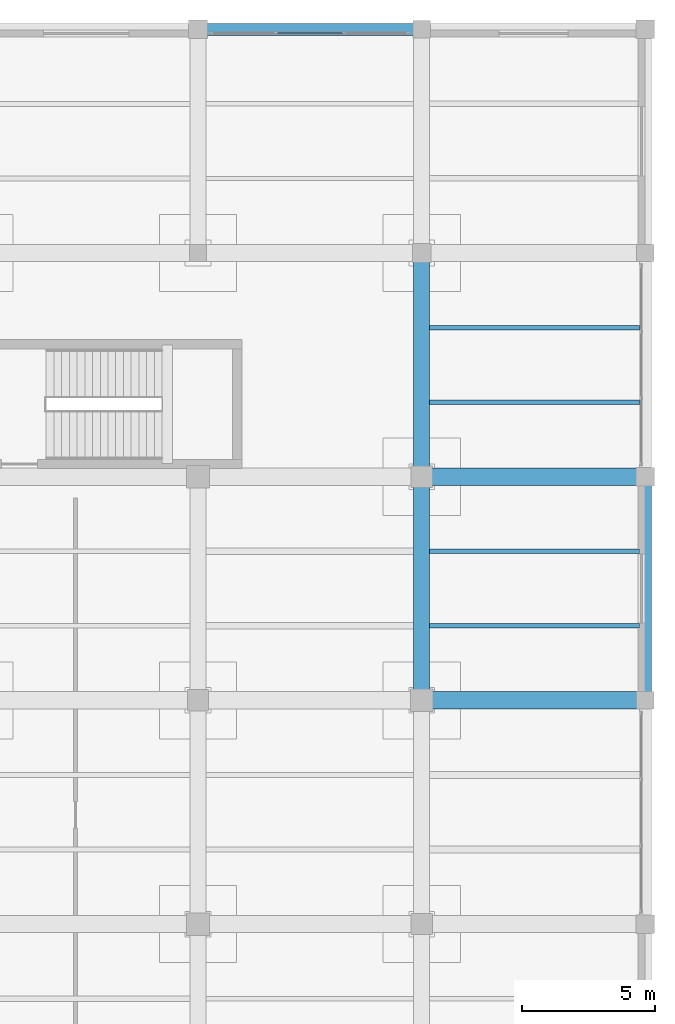
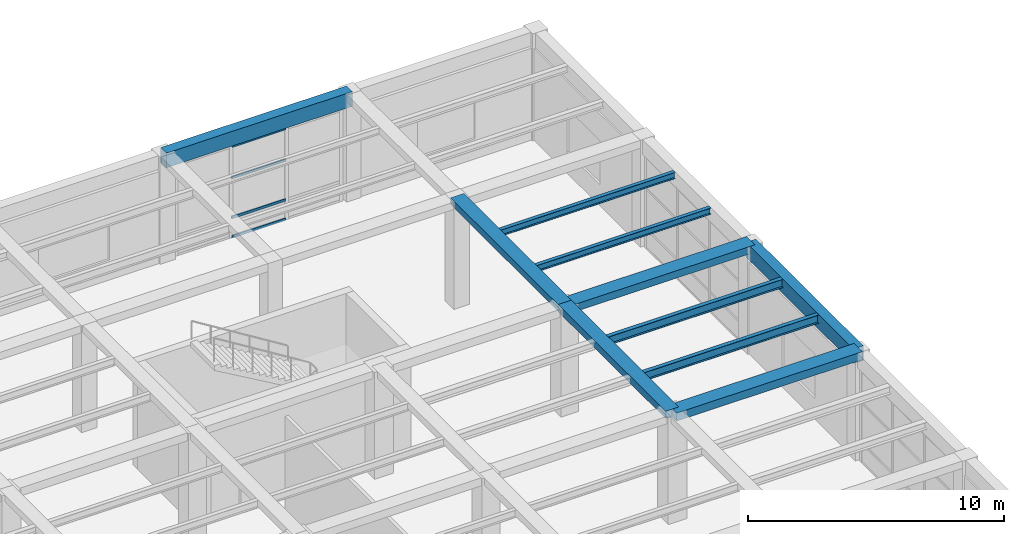
# One storey, part 64 of 95: 10 beams, 4 members, 1 element without a shape of its own.
"""IFC4 building model written with IfcOpenShell, lengths in metres."""

from ifc_helpers import new_model, si_unit, direction, frame, origin, origin_2d, place, context, subcontext, project, spatial, rectangle, hollow_rectangle, i_section, extrude, material, material_profile, profile_set, type_object, element, aggregate, save


model = new_model("IFC4")

# Units and contexts
model_context = context("Model", 3, precision=1e-05, world=origin(), true_north=direction((0.0, 1.0)))
body_context = subcontext(model_context, "Body", "Model", "MODEL_VIEW")
ifc_project = project(units=[si_unit("LENGTHUNIT", "METRE"), si_unit("AREAUNIT", "SQUARE_METRE"), si_unit("VOLUMEUNIT", "CUBIC_METRE"), si_unit("PLANEANGLEUNIT", "RADIAN"), si_unit("MASSUNIT", "GRAM", prefix="KILO")], contexts=[model_context])

# Site, building, storey
site_placement = place(None, origin())
site = spatial("IfcSite", under=ifc_project, at=site_placement, CompositionType="ELEMENT")
building_placement = place(site_placement, origin())
building = spatial("IfcBuilding", under=site, at=building_placement, Name="Almacenes y Pasaje Nevantli", CompositionType="ELEMENT")
storey_placement = place(building_placement, frame((0.0, 0.0, 11.39990234375)))
storey = spatial("IfcBuildingStorey", under=building, at=storey_placement, Name="L03", CompositionType="ELEMENT", Elevation=11.39990234375)

# Beams
ifc_material_1 = material(Name="Concrete C35/45", Category="concrete")
ifc_material_profile_1 = material_profile(ifc_material_1, rectangle(XDim=0.449951171875, YDim=0.699951171875, at=origin_2d()), Name="RC-BM-450x700")
ifc_profile_set_1 = profile_set([ifc_material_profile_1], Name="Concrete C35/45")
beam_type_1 = type_object("IfcBeamType", Name="BM-RC-450x700", PredefinedType="SPANDREL", material=ifc_profile_set_1)
for number, where, z_axis, x_axis, name in (
    (1, (151.199951171875, 117.60009765625, 4.75), (1.0, 0.0, 0.0), (0.0, 1.0, 0.0), "L03 East-West Reinforced Concrete Beam #2478"),
    (2, (168.0, 92.39990234375, 4.75), (0.0, 1.0, 0.0), (-1.0, 0.0, 0.0), "L03 North-South Reinforced Concrete Beam #2713"),
):
    element("IfcBeam", number, at=place(storey_placement, frame(where, z_axis=z_axis, x_axis=x_axis)), inside=storey, type_object=beam_type_1, Name=name, PredefinedType="SPANDREL", context=body_context, shape_type="SweptSolid", body=[
        extrude(rectangle(XDim=0.449951171875, YDim=0.699951171875, at=origin_2d()), origin(), (0.0, 0.0, 1.0), 8.400146484375),
    ])
ifc_material_2 = material(Name="Concrete C35/45", Category="concrete")
ifc_material_profile_2 = material_profile(ifc_material_2, rectangle(XDim=0.60009765625, YDim=0.320068359375, at=origin_2d()), Name="RC-BM-600x320")
ifc_profile_set_2 = profile_set([ifc_material_profile_2], Name="Concrete C35/45")
beam_type_2 = type_object("IfcBeamType", Name="BM-RC-600x320", PredefinedType="BEAM", material=ifc_profile_set_2)
beam_1_placement = place(storey_placement, frame((159.60009765625, 100.800048828125, 4.940185546875), z_axis=(0.0, 1.0, 0.0), x_axis=(-1.0, 0.0, 0.0)))
element("IfcBeam", 3, at=beam_1_placement, inside=storey, type_object=beam_type_2, Name="L03 North-South Reinforced Concrete Beam #2700", PredefinedType="BEAM", context=body_context, shape_type="SweptSolid", body=[
    extrude(rectangle(XDim=0.60009765625, YDim=0.320068359375, at=origin_2d()), origin(), (0.0, 0.0, 1.0), 8.39990234375),
])
ifc_material_3 = material(Name="Concrete C35/45", Category="concrete")
ifc_material_profile_3 = material_profile(ifc_material_3, rectangle(XDim=0.60009765625, YDim=0.340087890625, at=origin_2d()), Name="RC-BM-600x340")
ifc_profile_set_3 = profile_set([ifc_material_profile_3], Name="Concrete C35/45")
beam_type_3 = type_object("IfcBeamType", Name="BM-RC-600x340", PredefinedType="BEAM", material=ifc_profile_set_3)
beam_2_placement = place(storey_placement, frame((159.60009765625, 92.39990234375, 4.93017578125), z_axis=(0.0, 1.0, 0.0), x_axis=(-1.0, 0.0, 0.0)))
element("IfcBeam", 4, at=beam_2_placement, inside=storey, type_object=beam_type_3, Name="L03 North-South Reinforced Concrete Beam #2699", PredefinedType="BEAM", context=body_context, shape_type="SweptSolid", body=[
    extrude(rectangle(XDim=0.60009765625, YDim=0.340087890625, at=origin_2d()), origin(), (0.0, 0.0, 1.0), 8.400146484375),
])
ifc_material_4 = material(Name="Concrete C35/45", Category="concrete")
ifc_material_profile_4 = material_profile(ifc_material_4, rectangle(XDim=0.64990234375, YDim=0.35009765625, at=origin_2d()), Name="RC-BM-650x350")
ifc_profile_set_4 = profile_set([ifc_material_profile_4], Name="Concrete C35/45")
beam_type_4 = type_object("IfcBeamType", Name="BM-RC-650x350", PredefinedType="BEAM", material=ifc_profile_set_4)
beam_3_placement = place(storey_placement, frame((159.60009765625, 100.800048828125, 4.925048828125), z_axis=(1.0, 0.0, 0.0), x_axis=(0.0, 1.0, 0.0)))
element("IfcBeam", 5, at=beam_3_placement, inside=storey, type_object=beam_type_4, Name="L03 East-West Reinforced Concrete Beam #2442", PredefinedType="BEAM", context=body_context, shape_type="SweptSolid", body=[
    extrude(rectangle(XDim=0.64990234375, YDim=0.35009765625, at=origin_2d()), origin(), (0.0, 0.0, 1.0), 8.39990234375),
])
ifc_material_5 = material(Name="Concrete C35/45", Category="concrete")
ifc_material_profile_5 = material_profile(ifc_material_5, rectangle(XDim=0.64990234375, YDim=0.3798828125, at=origin_2d()), Name="RC-BM-650x380")
ifc_profile_set_5 = profile_set([ifc_material_profile_5], Name="Concrete C35/45")
beam_type_5 = type_object("IfcBeamType", Name="BM-RC-650x380", PredefinedType="BEAM", material=ifc_profile_set_5)
beam_4_placement = place(storey_placement, frame((159.60009765625, 92.39990234375, 4.91015625), z_axis=(1.0, 0.0, 0.0), x_axis=(0.0, 1.0, 0.0)))
element("IfcBeam", 6, at=beam_4_placement, inside=storey, type_object=beam_type_5, Name="L03 East-West Reinforced Concrete Beam #2425", PredefinedType="BEAM", context=body_context, shape_type="SweptSolid", body=[
    extrude(rectangle(XDim=0.64990234375, YDim=0.3798828125, at=origin_2d()), origin(), (0.0, 0.0, 1.0), 8.39990234375),
])
ifc_material_6 = material(Name="Steel ASTM A992", Category="steel")
ifc_material_profile_6 = material_profile(ifc_material_6, i_section(OverallWidth=0.1650390625, OverallDepth=0.306884765625, WebThickness=0.006591796875, FlangeThickness=0.01025390625, at=origin_2d()), Name="IR 305x44.6")
ifc_profile_set_6 = profile_set([ifc_material_profile_6], Name="Steel ASTM A992")
beam_type_6 = type_object("IfcBeamType", Name="BM-STL-IR-305x44p6", PredefinedType="JOIST", material=ifc_profile_set_6)
for number, where, z_axis, x_axis, name in (
    (7, (159.89990234375, 103.60009765625, 4.9384765625), (1.0, 0.0, 0.0), (0.0, 1.0, 0.0), "L03 Secondary Steel Floor Joist #1011"),
    (8, (159.89990234375, 106.39990234375, 4.9384765625), (1.0, 0.0, 0.0), (0.0, 1.0, 0.0), "L03 Secondary Steel Floor Joist #1012"),
):
    element("IfcBeam", number, at=place(storey_placement, frame(where, z_axis=z_axis, x_axis=x_axis)), inside=storey, type_object=beam_type_6, Name=name, PredefinedType="JOIST", context=body_context, shape_type="SweptSolid", body=[
        extrude(i_section(OverallWidth=0.1650390625, OverallDepth=0.306884765625, WebThickness=0.006591796875, FlangeThickness=0.01025390625, at=origin_2d()), origin(), (0.0, 0.0, 1.0), 7.875),
    ])
ifc_material_7 = material(Name="Steel ASTM A992", Category="steel")
ifc_material_profile_7 = material_profile(ifc_material_7, i_section(OverallWidth=0.178955078125, OverallDepth=0.406005859375, WebThickness=0.0087890625, FlangeThickness=0.014404296875, at=origin_2d()), Name="IR 406x67.0")
ifc_profile_set_7 = profile_set([ifc_material_profile_7], Name="Steel ASTM A992")
beam_type_7 = type_object("IfcBeamType", Name="BM-STL-IR-406x67p0", PredefinedType="JOIST", material=ifc_profile_set_7)
for number, where, z_axis, x_axis, name in (
    (9, (159.89990234375, 95.199951171875, 4.88916015625), (1.0, 0.0, 0.0), (0.0, 1.0, 0.0), "L03 Secondary Steel Floor Joist #1009"),
    (10, (159.89990234375, 98.0, 4.88916015625), (1.0, 0.0, 0.0), (0.0, 1.0, 0.0), "L03 Secondary Steel Floor Joist #1010"),
):
    element("IfcBeam", number, at=place(storey_placement, frame(where, z_axis=z_axis, x_axis=x_axis)), inside=storey, type_object=beam_type_7, Name=name, PredefinedType="JOIST", context=body_context, shape_type="SweptSolid", body=[
        extrude(i_section(OverallWidth=0.178955078125, OverallDepth=0.406005859375, WebThickness=0.0087890625, FlangeThickness=0.014404296875, at=origin_2d()), origin(), (0.0, 0.0, 1.0), 7.875),
    ])

# Curtain wall, members
ifc_material_8 = material(Name="Thermally Broken Aluminium and Low-E Glass", Category="aluminium")
curtain_wall_type = type_object("IfcCurtainWallType", Name="CW-STF-BLVD", PredefinedType="USERDEFINED", material=ifc_material_8)
curtain_wall_placement = place(storey_placement, origin())
curtain_wall = element("IfcCurtainWall", 11, at=curtain_wall_placement, inside=storey, type_object=curtain_wall_type, Name="L03 North Boulevard Retail Curtain Wall Bay 19", ObjectType="STOREFRONT GLAZING", PredefinedType="USERDEFINED")
ifc_material_9 = material(Name="Thermally Broken Anodized Aluminium", Category="aluminium")
ifc_material_profile_8 = material_profile(ifc_material_9, hollow_rectangle(XDim=0.06005859375, YDim=0.1201171875, WallThickness=0.00341796875, at=origin_2d()), Name="ALU-TRN-60x120")
ifc_profile_set_8 = profile_set([ifc_material_profile_8], Name="Thermally Broken Anodized Aluminium")
member_type = type_object("IfcMemberType", Name="CW-TRN-130", PredefinedType="USERDEFINED", material=ifc_profile_set_8)
member_1_placement = place(storey_placement, frame((154.179931640625, 117.449951171875, 0.030029296875), z_axis=(1.0, 0.0, 0.0), x_axis=(0.0, 1.0, 0.0)))
member_1 = element("IfcMember", 12, at=member_1_placement, type_object=member_type, Name="CW-L03-044 transom 2.1", ObjectType="TRANSOM", PredefinedType="USERDEFINED", context=body_context, shape_type="SweptSolid", body=[
    extrude(hollow_rectangle(XDim=0.06005859375, YDim=0.1201171875, WallThickness=0.00341796875, at=origin_2d()), origin(), (0.0, 0.0, 1.0), 2.440185546875),
])
member_2_placement = place(storey_placement, frame((154.179931640625, 117.449951171875, 0.9501953125), z_axis=(1.0, 0.0, 0.0), x_axis=(0.0, 1.0, 0.0)))
member_2 = element("IfcMember", 13, at=member_2_placement, type_object=member_type, Name="CW-L03-044 transom 2.2", ObjectType="TRANSOM", PredefinedType="USERDEFINED", context=body_context, shape_type="SweptSolid", body=[
    extrude(hollow_rectangle(XDim=0.06005859375, YDim=0.1201171875, WallThickness=0.00341796875, at=origin_2d()), origin(), (0.0, 0.0, 1.0), 2.440185546875),
])
member_3_placement = place(storey_placement, frame((154.179931640625, 117.449951171875, 2.85009765625), z_axis=(1.0, 0.0, 0.0), x_axis=(0.0, 1.0, 0.0)))
member_3 = element("IfcMember", 14, at=member_3_placement, type_object=member_type, Name="CW-L03-044 transom 2.3", ObjectType="TRANSOM", PredefinedType="USERDEFINED", context=body_context, shape_type="SweptSolid", body=[
    extrude(hollow_rectangle(XDim=0.06005859375, YDim=0.1201171875, WallThickness=0.00341796875, at=origin_2d()), origin(), (0.0, 0.0, 1.0), 2.440185546875),
])
member_4_placement = place(storey_placement, frame((154.179931640625, 117.449951171875, 4.35009765625), z_axis=(1.0, 0.0, 0.0), x_axis=(0.0, 1.0, 0.0)))
member_4 = element("IfcMember", 15, at=member_4_placement, type_object=member_type, Name="CW-L03-044 transom 2.4", ObjectType="TRANSOM", PredefinedType="USERDEFINED", context=body_context, shape_type="SweptSolid", body=[
    extrude(hollow_rectangle(XDim=0.06005859375, YDim=0.1201171875, WallThickness=0.00341796875, at=origin_2d()), origin(), (0.0, 0.0, 1.0), 2.440185546875),
])
aggregate(curtain_wall, [member_1, member_2, member_3, member_4])

save(model, "model.ifc")
